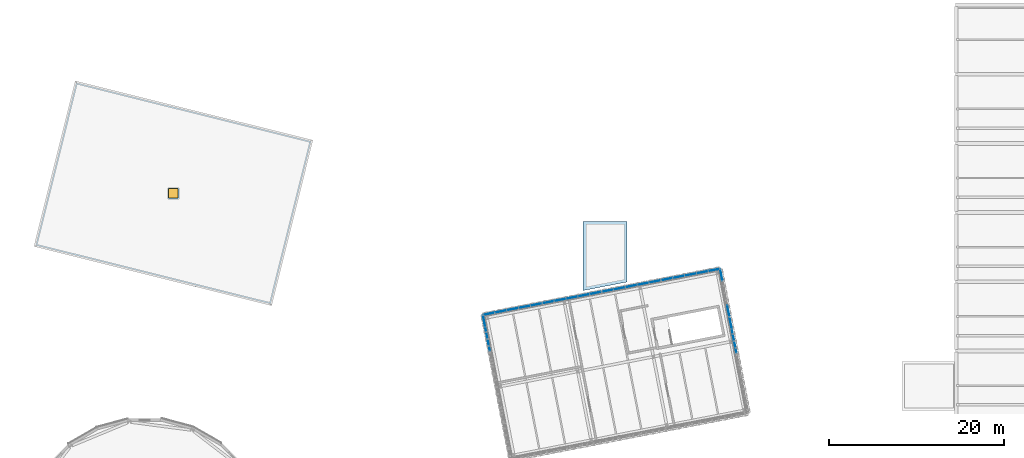
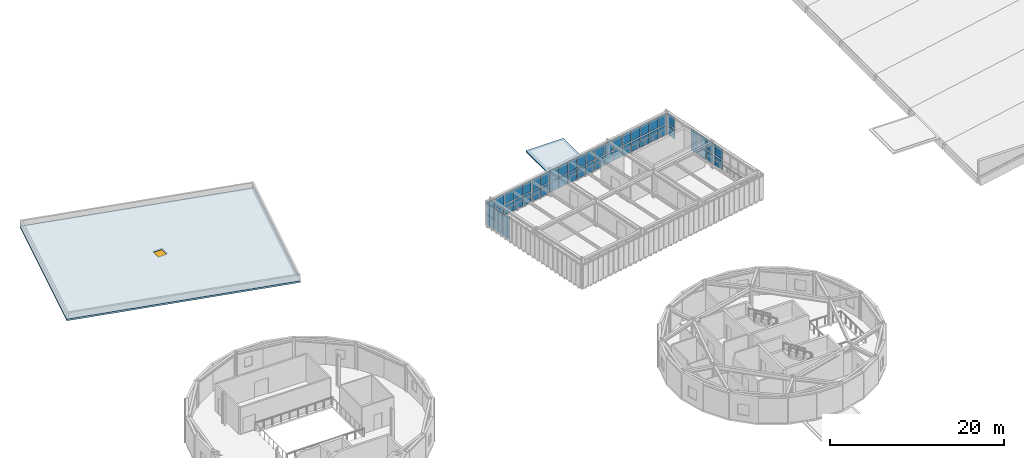
# One storey, part 23 of 44: 56 plates, 2 slabs, 1 door, 1 opening, 7 elements without a shape of their own.
"""IFC4 building model written with IfcOpenShell, lengths in metres."""

from ifc_helpers import new_model, si_unit, direction, frame, origin, origin_2d, place, context, subcontext, project, spatial, polyline, rectangle, outline, extrude, material, layer, layer_set, type_object, element, fill, aggregate, save


model = new_model("IFC4")

# Units and contexts
model_context = context("Model", 3, precision=1e-05, world=origin(), true_north=direction((0.0, 1.0)))
body_context = subcontext(model_context, "Body", "Model", "MODEL_VIEW")
ifc_project = project(units=[si_unit("LENGTHUNIT", "METRE"), si_unit("AREAUNIT", "SQUARE_METRE"), si_unit("VOLUMEUNIT", "CUBIC_METRE"), si_unit("PLANEANGLEUNIT", "RADIAN"), si_unit("MASSUNIT", "GRAM", prefix="KILO")], contexts=[model_context])

# Site, building, storey
site_placement = place(None, origin())
site = spatial("IfcSite", under=ifc_project, at=site_placement, CompositionType="ELEMENT")
building_placement = place(site_placement, origin())
building = spatial("IfcBuilding", under=site, at=building_placement, Name="Varnklinge Art Gallery", CompositionType="ELEMENT")
storey_placement = place(building_placement, frame((0.0, 0.0, 13.679931640625)))
storey = spatial("IfcBuildingStorey", under=building, at=storey_placement, Name="L03", CompositionType="ELEMENT", Elevation=13.679931640625)

# Curtain wall, plates
ifc_material_1 = material(Name="Anodised Aluminium", Category="aluminium")
curtain_wall_type_1 = type_object("IfcCurtainWallType", Name="CW-L08", PredefinedType="USERDEFINED", material=ifc_material_1)
curtain_wall_1_placement = place(storey_placement, origin())
curtain_wall_1 = element("IfcCurtainWall", 1, at=curtain_wall_1_placement, inside=storey, type_object=curtain_wall_type_1, Name="L03 Curtain Wall CW-V4B-L03-2-1-2", ObjectType="UNITISED CURTAIN WALL", PredefinedType="USERDEFINED")
ifc_material_2 = material(Name="Insulated Low-E Triple Glazing", Category="glass")
ifc_layer_1 = layer(ifc_material_2, 0.0439453125)
ifc_layer_set_1 = layer_set([ifc_layer_1], Name="Insulated Low-E Triple Glazing")
plate_type = type_object("IfcPlateType", Name="GLZ-44", PredefinedType="CURTAIN_PANEL", material=ifc_layer_set_1)
plate_1_placement = place(storey_placement, frame((89.18017578125, 74.446044921875, 0.14794921875), z_axis=(0.0, 0.0, 1.0), x_axis=(-0.190808995377, 0.981627183448, 0.0)))
plate_1 = element("IfcPlate", 2, at=plate_1_placement, type_object=plate_type, Name="CW-V4B-L03-2-1-2 Glazing Panel 2.1", PredefinedType="CURTAIN_PANEL", context=body_context, shape_type="SweptSolid", body=[
    extrude(rectangle(XDim=1.3291015625, YDim=0.0439453125, at=origin_2d()), origin(), (0.0, 0.0, 1.0), 1.367919921875),
])
plate_2_placement = place(storey_placement, frame((89.18017578125, 74.446044921875, 1.66162109375), z_axis=(0.0, 0.0, 1.0), x_axis=(-0.190808995377, 0.981627183448, 0.0)))
plate_2 = element("IfcPlate", 3, at=plate_2_placement, type_object=plate_type, Name="CW-V4B-L03-2-1-2 Glazing Panel 2.2", PredefinedType="CURTAIN_PANEL", context=body_context, shape_type="SweptSolid", body=[
    extrude(rectangle(XDim=1.3291015625, YDim=0.0439453125, at=origin_2d()), origin(), (0.0, 0.0, 1.0), 1.500244140625),
])
plate_3_placement = place(storey_placement, frame((88.912841796875, 75.8203125, 0.14794921875), z_axis=(0.0, 0.0, 1.0), x_axis=(-0.190808995377, 0.981627183448, 0.0)))
plate_3 = element("IfcPlate", 4, at=plate_3_placement, type_object=plate_type, Name="CW-V4B-L03-2-1-2 Glazing Panel 3.1", PredefinedType="CURTAIN_PANEL", context=body_context, shape_type="SweptSolid", body=[
    extrude(rectangle(XDim=1.3291015625, YDim=0.0439453125, at=origin_2d()), origin(), (0.0, 0.0, 1.0), 1.367919921875),
])
plate_4_placement = place(storey_placement, frame((88.912841796875, 75.8203125, 1.66162109375), z_axis=(0.0, 0.0, 1.0), x_axis=(-0.190808995377, 0.981627183448, 0.0)))
plate_4 = element("IfcPlate", 5, at=plate_4_placement, type_object=plate_type, Name="CW-V4B-L03-2-1-2 Glazing Panel 3.2", PredefinedType="CURTAIN_PANEL", context=body_context, shape_type="SweptSolid", body=[
    extrude(rectangle(XDim=1.3291015625, YDim=0.0439453125, at=origin_2d()), origin(), (0.0, 0.0, 1.0), 1.500244140625),
])
plate_5_placement = place(storey_placement, frame((88.6494140625, 77.17626953125, 0.14794921875), z_axis=(0.0, 0.0, 1.0), x_axis=(-0.190808995377, 0.981627183448, 0.0)))
plate_5 = element("IfcPlate", 6, at=plate_5_placement, type_object=plate_type, Name="CW-V4B-L03-2-1-2 Glazing Panel 4.1", PredefinedType="CURTAIN_PANEL", context=body_context, shape_type="SweptSolid", body=[
    extrude(rectangle(XDim=1.29150390625, YDim=0.0439453125, at=origin_2d()), origin(), (0.0, 0.0, 1.0), 1.367919921875),
])
plate_6_placement = place(storey_placement, frame((88.6494140625, 77.17626953125, 1.66162109375), z_axis=(0.0, 0.0, 1.0), x_axis=(-0.190808995377, 0.981627183448, 0.0)))
plate_6 = element("IfcPlate", 7, at=plate_6_placement, type_object=plate_type, Name="CW-V4B-L03-2-1-2 Glazing Panel 4.2", PredefinedType="CURTAIN_PANEL", context=body_context, shape_type="SweptSolid", body=[
    extrude(rectangle(XDim=1.29150390625, YDim=0.0439453125, at=origin_2d()), origin(), (0.0, 0.0, 1.0), 1.500244140625),
])
aggregate(curtain_wall_1, [plate_1, plate_2, plate_3, plate_4, plate_5, plate_6])

curtain_wall_2_placement = place(storey_placement, origin())
curtain_wall_2 = element("IfcCurtainWall", 8, at=curtain_wall_2_placement, inside=storey, type_object=curtain_wall_type_1, Name="L03 Curtain Wall CW-V4B-L03-2-1-3", ObjectType="UNITISED CURTAIN WALL", PredefinedType="USERDEFINED")
plate_7_placement = place(storey_placement, frame((88.375, 78.587158203125, 0.14794921875), z_axis=(0.0, 0.0, 1.0), x_axis=(-0.190808995377, 0.981627183448, 0.0)))
plate_7 = element("IfcPlate", 9, at=plate_7_placement, type_object=plate_type, Name="CW-V4B-L03-2-1-3 Glazing Panel 1.1", PredefinedType="CURTAIN_PANEL", context=body_context, shape_type="SweptSolid", body=[
    extrude(rectangle(XDim=1.29150390625, YDim=0.0439453125, at=origin_2d()), origin(), (0.0, 0.0, 1.0), 1.367919921875),
])
plate_8_placement = place(storey_placement, frame((88.375, 78.587158203125, 1.66162109375), z_axis=(0.0, 0.0, 1.0), x_axis=(-0.190808995377, 0.981627183448, 0.0)))
plate_8 = element("IfcPlate", 10, at=plate_8_placement, type_object=plate_type, Name="CW-V4B-L03-2-1-3 Glazing Panel 1.2", PredefinedType="CURTAIN_PANEL", context=body_context, shape_type="SweptSolid", body=[
    extrude(rectangle(XDim=1.29150390625, YDim=0.0439453125, at=origin_2d()), origin(), (0.0, 0.0, 1.0), 1.500244140625),
])
plate_9_placement = place(storey_placement, frame((87.580810546875, 82.67333984375, 0.14794921875), z_axis=(0.0, 0.0, 1.0), x_axis=(-0.190808995377, 0.981627183448, 0.0)))
plate_9 = element("IfcPlate", 11, at=plate_9_placement, type_object=plate_type, Name="CW-V4B-L03-2-1-3 Glazing Panel 4.1", PredefinedType="CURTAIN_PANEL", context=body_context, shape_type="SweptSolid", body=[
    extrude(rectangle(XDim=1.29150390625, YDim=0.0439453125, at=origin_2d()), origin(), (0.0, 0.0, 1.0), 1.367919921875),
])
plate_10_placement = place(storey_placement, frame((87.580810546875, 82.67333984375, 1.66162109375), z_axis=(0.0, 0.0, 1.0), x_axis=(-0.190808995377, 0.981627183448, 0.0)))
plate_10 = element("IfcPlate", 12, at=plate_10_placement, type_object=plate_type, Name="CW-V4B-L03-2-1-3 Glazing Panel 4.2", PredefinedType="CURTAIN_PANEL", context=body_context, shape_type="SweptSolid", body=[
    extrude(rectangle(XDim=1.29150390625, YDim=0.0439453125, at=origin_2d()), origin(), (0.0, 0.0, 1.0), 1.500244140625),
])
aggregate(curtain_wall_2, [plate_7, plate_8, plate_9, plate_10])

ifc_material_3 = material(Name="Anodised Aluminium", Category="aluminium")
curtain_wall_type_2 = type_object("IfcCurtainWallType", Name="CW-L04", PredefinedType="USERDEFINED", material=ifc_material_3)
curtain_wall_3_placement = place(storey_placement, origin())
curtain_wall_3 = element("IfcCurtainWall", 13, at=curtain_wall_3_placement, inside=storey, type_object=curtain_wall_type_2, Name="L03 Curtain Wall CW-V4B-L03-3-1-1", ObjectType="UNITISED CURTAIN WALL", PredefinedType="USERDEFINED")
plate_11_placement = place(storey_placement, frame((86.748046875, 83.24365234375, 0.14794921875), z_axis=(0.0, 0.0, 1.0), x_axis=(-0.981627183448, -0.190808995377, 0.0)))
plate_11 = element("IfcPlate", 14, at=plate_11_placement, type_object=plate_type, Name="CW-V4B-L03-3-1-1 Glazing Panel 1.1", PredefinedType="CURTAIN_PANEL", context=body_context, shape_type="SweptSolid", body=[
    extrude(rectangle(XDim=1.271484375, YDim=0.0439453125, at=origin_2d()), origin(), (0.0, 0.0, 1.0), 1.367919921875),
])
plate_12_placement = place(storey_placement, frame((86.748046875, 83.24365234375, 1.66162109375), z_axis=(0.0, 0.0, 1.0), x_axis=(-0.981627183448, -0.190808995377, 0.0)))
plate_12 = element("IfcPlate", 15, at=plate_12_placement, type_object=plate_type, Name="CW-V4B-L03-3-1-1 Glazing Panel 1.2", PredefinedType="CURTAIN_PANEL", context=body_context, shape_type="SweptSolid", body=[
    extrude(rectangle(XDim=1.271484375, YDim=0.0439453125, at=origin_2d()), origin(), (0.0, 0.0, 1.0), 1.500244140625),
])
plate_13_placement = place(storey_placement, frame((85.41162109375, 82.98388671875, 0.14794921875), z_axis=(0.0, 0.0, 1.0), x_axis=(-0.981627183448, -0.190808995377, 0.0)))
plate_13 = element("IfcPlate", 16, at=plate_13_placement, type_object=plate_type, Name="CW-V4B-L03-3-1-1 Glazing Panel 2.1", PredefinedType="CURTAIN_PANEL", context=body_context, shape_type="SweptSolid", body=[
    extrude(rectangle(XDim=1.30908203125, YDim=0.0439453125, at=origin_2d()), origin(), (0.0, 0.0, 1.0), 1.367919921875),
])
plate_14_placement = place(storey_placement, frame((85.41162109375, 82.98388671875, 1.66162109375), z_axis=(0.0, 0.0, 1.0), x_axis=(-0.981627183448, -0.190808995377, 0.0)))
plate_14 = element("IfcPlate", 17, at=plate_14_placement, type_object=plate_type, Name="CW-V4B-L03-3-1-1 Glazing Panel 2.2", PredefinedType="CURTAIN_PANEL", context=body_context, shape_type="SweptSolid", body=[
    extrude(rectangle(XDim=1.30908203125, YDim=0.0439453125, at=origin_2d()), origin(), (0.0, 0.0, 1.0), 1.500244140625),
])
plate_15_placement = place(storey_placement, frame((84.05712890625, 82.720458984375, 0.14794921875), z_axis=(0.0, 0.0, 1.0), x_axis=(-0.981627183448, -0.190808995377, 0.0)))
plate_15 = element("IfcPlate", 18, at=plate_15_placement, type_object=plate_type, Name="CW-V4B-L03-3-1-1 Glazing Panel 3.1", PredefinedType="CURTAIN_PANEL", context=body_context, shape_type="SweptSolid", body=[
    extrude(rectangle(XDim=1.30908203125, YDim=0.0439453125, at=origin_2d()), origin(), (0.0, 0.0, 1.0), 1.367919921875),
])
plate_16_placement = place(storey_placement, frame((84.05712890625, 82.720458984375, 1.66162109375), z_axis=(0.0, 0.0, 1.0), x_axis=(-0.981627183448, -0.190808995377, 0.0)))
plate_16 = element("IfcPlate", 19, at=plate_16_placement, type_object=plate_type, Name="CW-V4B-L03-3-1-1 Glazing Panel 3.2", PredefinedType="CURTAIN_PANEL", context=body_context, shape_type="SweptSolid", body=[
    extrude(rectangle(XDim=1.30908203125, YDim=0.0439453125, at=origin_2d()), origin(), (0.0, 0.0, 1.0), 1.500244140625),
])
plate_17_placement = place(storey_placement, frame((82.702392578125, 82.457275390625, 0.14794921875), z_axis=(0.0, 0.0, 1.0), x_axis=(-0.981627183448, -0.190808995377, 0.0)))
plate_17 = element("IfcPlate", 20, at=plate_17_placement, type_object=plate_type, Name="CW-V4B-L03-3-1-1 Glazing Panel 4.1", PredefinedType="CURTAIN_PANEL", context=body_context, shape_type="SweptSolid", body=[
    extrude(rectangle(XDim=1.30908203125, YDim=0.0439453125, at=origin_2d()), origin(), (0.0, 0.0, 1.0), 1.367919921875),
])
plate_18_placement = place(storey_placement, frame((82.702392578125, 82.457275390625, 1.66162109375), z_axis=(0.0, 0.0, 1.0), x_axis=(-0.981627183448, -0.190808995377, 0.0)))
plate_18 = element("IfcPlate", 21, at=plate_18_placement, type_object=plate_type, Name="CW-V4B-L03-3-1-1 Glazing Panel 4.2", PredefinedType="CURTAIN_PANEL", context=body_context, shape_type="SweptSolid", body=[
    extrude(rectangle(XDim=1.30908203125, YDim=0.0439453125, at=origin_2d()), origin(), (0.0, 0.0, 1.0), 1.500244140625),
])
plate_19_placement = place(storey_placement, frame((81.3662109375, 82.197509765625, 0.14794921875), z_axis=(0.0, 0.0, 1.0), x_axis=(-0.981627183448, -0.190808995377, 0.0)))
plate_19 = element("IfcPlate", 22, at=plate_19_placement, type_object=plate_type, Name="CW-V4B-L03-3-1-1 Glazing Panel 5.1", PredefinedType="CURTAIN_PANEL", context=body_context, shape_type="SweptSolid", body=[
    extrude(rectangle(XDim=1.271484375, YDim=0.0439453125, at=origin_2d()), origin(), (0.0, 0.0, 1.0), 1.367919921875),
])
plate_20_placement = place(storey_placement, frame((81.3662109375, 82.197509765625, 1.66162109375), z_axis=(0.0, 0.0, 1.0), x_axis=(-0.981627183448, -0.190808995377, 0.0)))
plate_20 = element("IfcPlate", 23, at=plate_20_placement, type_object=plate_type, Name="CW-V4B-L03-3-1-1 Glazing Panel 5.2", PredefinedType="CURTAIN_PANEL", context=body_context, shape_type="SweptSolid", body=[
    extrude(rectangle(XDim=1.271484375, YDim=0.0439453125, at=origin_2d()), origin(), (0.0, 0.0, 1.0), 1.500244140625),
])
aggregate(curtain_wall_3, [plate_11, plate_12, plate_13, plate_14, plate_15, plate_16, plate_17, plate_18, plate_19, plate_20])

curtain_wall_4_placement = place(storey_placement, origin())
curtain_wall_4 = element("IfcCurtainWall", 24, at=curtain_wall_4_placement, inside=storey, type_object=curtain_wall_type_2, Name="L03 Curtain Wall CW-V4B-L03-3-1-2", ObjectType="UNITISED CURTAIN WALL", PredefinedType="USERDEFINED")
plate_21_placement = place(storey_placement, frame((79.974853515625, 81.927001953125, 0.14794921875), z_axis=(0.0, 0.0, 1.0), x_axis=(-0.981627183448, -0.190808995377, 0.0)))
plate_21 = element("IfcPlate", 25, at=plate_21_placement, type_object=plate_type, Name="CW-V4B-L03-3-1-2 Glazing Panel 1.1", PredefinedType="CURTAIN_PANEL", context=body_context, shape_type="SweptSolid", body=[
    extrude(rectangle(XDim=1.271484375, YDim=0.0439453125, at=origin_2d()), origin(), (0.0, 0.0, 1.0), 1.367919921875),
])
plate_22_placement = place(storey_placement, frame((79.974853515625, 81.927001953125, 1.66162109375), z_axis=(0.0, 0.0, 1.0), x_axis=(-0.981627183448, -0.190808995377, 0.0)))
plate_22 = element("IfcPlate", 26, at=plate_22_placement, type_object=plate_type, Name="CW-V4B-L03-3-1-2 Glazing Panel 1.2", PredefinedType="CURTAIN_PANEL", context=body_context, shape_type="SweptSolid", body=[
    extrude(rectangle(XDim=1.271484375, YDim=0.0439453125, at=origin_2d()), origin(), (0.0, 0.0, 1.0), 1.500244140625),
])
plate_23_placement = place(storey_placement, frame((78.638427734375, 81.667236328125, 0.14794921875), z_axis=(0.0, 0.0, 1.0), x_axis=(-0.981627183448, -0.190808995377, 0.0)))
plate_23 = element("IfcPlate", 27, at=plate_23_placement, type_object=plate_type, Name="CW-V4B-L03-3-1-2 Glazing Panel 2.1", PredefinedType="CURTAIN_PANEL", context=body_context, shape_type="SweptSolid", body=[
    extrude(rectangle(XDim=1.30908203125, YDim=0.0439453125, at=origin_2d()), origin(), (0.0, 0.0, 1.0), 1.367919921875),
])
plate_24_placement = place(storey_placement, frame((78.638427734375, 81.667236328125, 1.66162109375), z_axis=(0.0, 0.0, 1.0), x_axis=(-0.981627183448, -0.190808995377, 0.0)))
plate_24 = element("IfcPlate", 28, at=plate_24_placement, type_object=plate_type, Name="CW-V4B-L03-3-1-2 Glazing Panel 2.2", PredefinedType="CURTAIN_PANEL", context=body_context, shape_type="SweptSolid", body=[
    extrude(rectangle(XDim=1.30908203125, YDim=0.0439453125, at=origin_2d()), origin(), (0.0, 0.0, 1.0), 1.500244140625),
])
plate_25_placement = place(storey_placement, frame((77.283935546875, 81.40380859375, 0.14794921875), z_axis=(0.0, 0.0, 1.0), x_axis=(-0.981627183448, -0.190808995377, 0.0)))
plate_25 = element("IfcPlate", 29, at=plate_25_placement, type_object=plate_type, Name="CW-V4B-L03-3-1-2 Glazing Panel 3.1", PredefinedType="CURTAIN_PANEL", context=body_context, shape_type="SweptSolid", body=[
    extrude(rectangle(XDim=1.30908203125, YDim=0.0439453125, at=origin_2d()), origin(), (0.0, 0.0, 1.0), 1.367919921875),
])
plate_26_placement = place(storey_placement, frame((77.283935546875, 81.40380859375, 1.66162109375), z_axis=(0.0, 0.0, 1.0), x_axis=(-0.981627183448, -0.190808995377, 0.0)))
plate_26 = element("IfcPlate", 30, at=plate_26_placement, type_object=plate_type, Name="CW-V4B-L03-3-1-2 Glazing Panel 3.2", PredefinedType="CURTAIN_PANEL", context=body_context, shape_type="SweptSolid", body=[
    extrude(rectangle(XDim=1.30908203125, YDim=0.0439453125, at=origin_2d()), origin(), (0.0, 0.0, 1.0), 1.500244140625),
])
plate_27_placement = place(storey_placement, frame((75.92919921875, 81.140625, 0.14794921875), z_axis=(0.0, 0.0, 1.0), x_axis=(-0.981627183448, -0.190808995377, 0.0)))
plate_27 = element("IfcPlate", 31, at=plate_27_placement, type_object=plate_type, Name="CW-V4B-L03-3-1-2 Glazing Panel 4.1", PredefinedType="CURTAIN_PANEL", context=body_context, shape_type="SweptSolid", body=[
    extrude(rectangle(XDim=1.30908203125, YDim=0.0439453125, at=origin_2d()), origin(), (0.0, 0.0, 1.0), 1.367919921875),
])
plate_28_placement = place(storey_placement, frame((75.92919921875, 81.140625, 1.66162109375), z_axis=(0.0, 0.0, 1.0), x_axis=(-0.981627183448, -0.190808995377, 0.0)))
plate_28 = element("IfcPlate", 32, at=plate_28_placement, type_object=plate_type, Name="CW-V4B-L03-3-1-2 Glazing Panel 4.2", PredefinedType="CURTAIN_PANEL", context=body_context, shape_type="SweptSolid", body=[
    extrude(rectangle(XDim=1.30908203125, YDim=0.0439453125, at=origin_2d()), origin(), (0.0, 0.0, 1.0), 1.500244140625),
])
plate_29_placement = place(storey_placement, frame((74.593017578125, 80.880859375, 0.14794921875), z_axis=(0.0, 0.0, 1.0), x_axis=(-0.981627183448, -0.190808995377, 0.0)))
plate_29 = element("IfcPlate", 33, at=plate_29_placement, type_object=plate_type, Name="CW-V4B-L03-3-1-2 Glazing Panel 5.1", PredefinedType="CURTAIN_PANEL", context=body_context, shape_type="SweptSolid", body=[
    extrude(rectangle(XDim=1.271484375, YDim=0.0439453125, at=origin_2d()), origin(), (0.0, 0.0, 1.0), 1.367919921875),
])
plate_30_placement = place(storey_placement, frame((74.593017578125, 80.880859375, 1.66162109375), z_axis=(0.0, 0.0, 1.0), x_axis=(-0.981627183448, -0.190808995377, 0.0)))
plate_30 = element("IfcPlate", 34, at=plate_30_placement, type_object=plate_type, Name="CW-V4B-L03-3-1-2 Glazing Panel 5.2", PredefinedType="CURTAIN_PANEL", context=body_context, shape_type="SweptSolid", body=[
    extrude(rectangle(XDim=1.271484375, YDim=0.0439453125, at=origin_2d()), origin(), (0.0, 0.0, 1.0), 1.500244140625),
])
aggregate(curtain_wall_4, [plate_21, plate_22, plate_23, plate_24, plate_25, plate_26, plate_27, plate_28, plate_29, plate_30])

curtain_wall_5_placement = place(storey_placement, origin())
curtain_wall_5 = element("IfcCurtainWall", 35, at=curtain_wall_5_placement, inside=storey, type_object=curtain_wall_type_2, Name="L03 Curtain Wall CW-V4B-L03-3-1-3", ObjectType="UNITISED CURTAIN WALL", PredefinedType="USERDEFINED")
plate_31_placement = place(storey_placement, frame((73.201416015625, 80.6103515625, 0.14794921875), z_axis=(0.0, 0.0, 1.0), x_axis=(-0.981627183448, -0.190808995377, 0.0)))
plate_31 = element("IfcPlate", 36, at=plate_31_placement, type_object=plate_type, Name="CW-V4B-L03-3-1-3 Glazing Panel 1.1", PredefinedType="CURTAIN_PANEL", context=body_context, shape_type="SweptSolid", body=[
    extrude(rectangle(XDim=1.271484375, YDim=0.0439453125, at=origin_2d()), origin(), (0.0, 0.0, 1.0), 1.367919921875),
])
plate_32_placement = place(storey_placement, frame((73.201416015625, 80.6103515625, 1.66162109375), z_axis=(0.0, 0.0, 1.0), x_axis=(-0.981627183448, -0.190808995377, 0.0)))
plate_32 = element("IfcPlate", 37, at=plate_32_placement, type_object=plate_type, Name="CW-V4B-L03-3-1-3 Glazing Panel 1.2", PredefinedType="CURTAIN_PANEL", context=body_context, shape_type="SweptSolid", body=[
    extrude(rectangle(XDim=1.271484375, YDim=0.0439453125, at=origin_2d()), origin(), (0.0, 0.0, 1.0), 1.500244140625),
])
plate_33_placement = place(storey_placement, frame((71.865234375, 80.3505859375, 0.14794921875), z_axis=(0.0, 0.0, 1.0), x_axis=(-0.981627183448, -0.190808995377, 0.0)))
plate_33 = element("IfcPlate", 38, at=plate_33_placement, type_object=plate_type, Name="CW-V4B-L03-3-1-3 Glazing Panel 2.1", PredefinedType="CURTAIN_PANEL", context=body_context, shape_type="SweptSolid", body=[
    extrude(rectangle(XDim=1.30908203125, YDim=0.0439453125, at=origin_2d()), origin(), (0.0, 0.0, 1.0), 1.367919921875),
])
plate_34_placement = place(storey_placement, frame((71.865234375, 80.3505859375, 1.66162109375), z_axis=(0.0, 0.0, 1.0), x_axis=(-0.981627183448, -0.190808995377, 0.0)))
plate_34 = element("IfcPlate", 39, at=plate_34_placement, type_object=plate_type, Name="CW-V4B-L03-3-1-3 Glazing Panel 2.2", PredefinedType="CURTAIN_PANEL", context=body_context, shape_type="SweptSolid", body=[
    extrude(rectangle(XDim=1.30908203125, YDim=0.0439453125, at=origin_2d()), origin(), (0.0, 0.0, 1.0), 1.500244140625),
])
plate_35_placement = place(storey_placement, frame((70.510498046875, 80.08740234375, 0.14794921875), z_axis=(0.0, 0.0, 1.0), x_axis=(-0.981627183448, -0.190808995377, 0.0)))
plate_35 = element("IfcPlate", 40, at=plate_35_placement, type_object=plate_type, Name="CW-V4B-L03-3-1-3 Glazing Panel 3.1", PredefinedType="CURTAIN_PANEL", context=body_context, shape_type="SweptSolid", body=[
    extrude(rectangle(XDim=1.30908203125, YDim=0.0439453125, at=origin_2d()), origin(), (0.0, 0.0, 1.0), 1.367919921875),
])
plate_36_placement = place(storey_placement, frame((70.510498046875, 80.08740234375, 1.66162109375), z_axis=(0.0, 0.0, 1.0), x_axis=(-0.981627183448, -0.190808995377, 0.0)))
plate_36 = element("IfcPlate", 41, at=plate_36_placement, type_object=plate_type, Name="CW-V4B-L03-3-1-3 Glazing Panel 3.2", PredefinedType="CURTAIN_PANEL", context=body_context, shape_type="SweptSolid", body=[
    extrude(rectangle(XDim=1.30908203125, YDim=0.0439453125, at=origin_2d()), origin(), (0.0, 0.0, 1.0), 1.500244140625),
])
plate_37_placement = place(storey_placement, frame((69.156005859375, 79.823974609375, 0.14794921875), z_axis=(0.0, 0.0, 1.0), x_axis=(-0.981627183448, -0.190808995377, 0.0)))
plate_37 = element("IfcPlate", 42, at=plate_37_placement, type_object=plate_type, Name="CW-V4B-L03-3-1-3 Glazing Panel 4.1", PredefinedType="CURTAIN_PANEL", context=body_context, shape_type="SweptSolid", body=[
    extrude(rectangle(XDim=1.30908203125, YDim=0.0439453125, at=origin_2d()), origin(), (0.0, 0.0, 1.0), 1.367919921875),
])
plate_38_placement = place(storey_placement, frame((69.156005859375, 79.823974609375, 1.66162109375), z_axis=(0.0, 0.0, 1.0), x_axis=(-0.981627183448, -0.190808995377, 0.0)))
plate_38 = element("IfcPlate", 43, at=plate_38_placement, type_object=plate_type, Name="CW-V4B-L03-3-1-3 Glazing Panel 4.2", PredefinedType="CURTAIN_PANEL", context=body_context, shape_type="SweptSolid", body=[
    extrude(rectangle(XDim=1.30908203125, YDim=0.0439453125, at=origin_2d()), origin(), (0.0, 0.0, 1.0), 1.500244140625),
])
plate_39_placement = place(storey_placement, frame((67.819580078125, 79.564208984375, 0.14794921875), z_axis=(0.0, 0.0, 1.0), x_axis=(-0.981627183448, -0.190808995377, 0.0)))
plate_39 = element("IfcPlate", 44, at=plate_39_placement, type_object=plate_type, Name="CW-V4B-L03-3-1-3 Glazing Panel 5.1", PredefinedType="CURTAIN_PANEL", context=body_context, shape_type="SweptSolid", body=[
    extrude(rectangle(XDim=1.271484375, YDim=0.0439453125, at=origin_2d()), origin(), (0.0, 0.0, 1.0), 1.367919921875),
])
plate_40_placement = place(storey_placement, frame((67.819580078125, 79.564208984375, 1.66162109375), z_axis=(0.0, 0.0, 1.0), x_axis=(-0.981627183448, -0.190808995377, 0.0)))
plate_40 = element("IfcPlate", 45, at=plate_40_placement, type_object=plate_type, Name="CW-V4B-L03-3-1-3 Glazing Panel 5.2", PredefinedType="CURTAIN_PANEL", context=body_context, shape_type="SweptSolid", body=[
    extrude(rectangle(XDim=1.271484375, YDim=0.0439453125, at=origin_2d()), origin(), (0.0, 0.0, 1.0), 1.500244140625),
])
aggregate(curtain_wall_5, [plate_31, plate_32, plate_33, plate_34, plate_35, plate_36, plate_37, plate_38, plate_39, plate_40])

curtain_wall_6_placement = place(storey_placement, origin())
curtain_wall_6 = element("IfcCurtainWall", 46, at=curtain_wall_6_placement, inside=storey, type_object=curtain_wall_type_2, Name="L03 Curtain Wall CW-V4B-L03-3-1-4", ObjectType="UNITISED CURTAIN WALL", PredefinedType="USERDEFINED")
plate_41_placement = place(storey_placement, frame((66.42822265625, 79.2939453125, 0.14794921875), z_axis=(0.0, 0.0, 1.0), x_axis=(-0.981627183448, -0.190808995377, 0.0)))
plate_41 = element("IfcPlate", 47, at=plate_41_placement, type_object=plate_type, Name="CW-V4B-L03-3-1-4 Glazing Panel 1.1", PredefinedType="CURTAIN_PANEL", context=body_context, shape_type="SweptSolid", body=[
    extrude(rectangle(XDim=1.271484375, YDim=0.0439453125, at=origin_2d()), origin(), (0.0, 0.0, 1.0), 1.367919921875),
])
plate_42_placement = place(storey_placement, frame((66.42822265625, 79.2939453125, 1.66162109375), z_axis=(0.0, 0.0, 1.0), x_axis=(-0.981627183448, -0.190808995377, 0.0)))
plate_42 = element("IfcPlate", 48, at=plate_42_placement, type_object=plate_type, Name="CW-V4B-L03-3-1-4 Glazing Panel 1.2", PredefinedType="CURTAIN_PANEL", context=body_context, shape_type="SweptSolid", body=[
    extrude(rectangle(XDim=1.271484375, YDim=0.0439453125, at=origin_2d()), origin(), (0.0, 0.0, 1.0), 1.500244140625),
])
plate_43_placement = place(storey_placement, frame((65.092041015625, 79.0341796875, 0.14794921875), z_axis=(0.0, 0.0, 1.0), x_axis=(-0.981627183448, -0.190808995377, 0.0)))
plate_43 = element("IfcPlate", 49, at=plate_43_placement, type_object=plate_type, Name="CW-V4B-L03-3-1-4 Glazing Panel 2.1", PredefinedType="CURTAIN_PANEL", context=body_context, shape_type="SweptSolid", body=[
    extrude(rectangle(XDim=1.30908203125, YDim=0.0439453125, at=origin_2d()), origin(), (0.0, 0.0, 1.0), 1.367919921875),
])
plate_44_placement = place(storey_placement, frame((65.092041015625, 79.0341796875, 1.66162109375), z_axis=(0.0, 0.0, 1.0), x_axis=(-0.981627183448, -0.190808995377, 0.0)))
plate_44 = element("IfcPlate", 50, at=plate_44_placement, type_object=plate_type, Name="CW-V4B-L03-3-1-4 Glazing Panel 2.2", PredefinedType="CURTAIN_PANEL", context=body_context, shape_type="SweptSolid", body=[
    extrude(rectangle(XDim=1.30908203125, YDim=0.0439453125, at=origin_2d()), origin(), (0.0, 0.0, 1.0), 1.500244140625),
])
plate_45_placement = place(storey_placement, frame((63.7373046875, 78.770751953125, 0.14794921875), z_axis=(0.0, 0.0, 1.0), x_axis=(-0.981627183448, -0.190808995377, 0.0)))
plate_45 = element("IfcPlate", 51, at=plate_45_placement, type_object=plate_type, Name="CW-V4B-L03-3-1-4 Glazing Panel 3.1", PredefinedType="CURTAIN_PANEL", context=body_context, shape_type="SweptSolid", body=[
    extrude(rectangle(XDim=1.30908203125, YDim=0.0439453125, at=origin_2d()), origin(), (0.0, 0.0, 1.0), 1.367919921875),
])
plate_46_placement = place(storey_placement, frame((63.7373046875, 78.770751953125, 1.66162109375), z_axis=(0.0, 0.0, 1.0), x_axis=(-0.981627183448, -0.190808995377, 0.0)))
plate_46 = element("IfcPlate", 52, at=plate_46_placement, type_object=plate_type, Name="CW-V4B-L03-3-1-4 Glazing Panel 3.2", PredefinedType="CURTAIN_PANEL", context=body_context, shape_type="SweptSolid", body=[
    extrude(rectangle(XDim=1.30908203125, YDim=0.0439453125, at=origin_2d()), origin(), (0.0, 0.0, 1.0), 1.500244140625),
])
plate_47_placement = place(storey_placement, frame((62.3828125, 78.507568359375, 0.14794921875), z_axis=(0.0, 0.0, 1.0), x_axis=(-0.981627183448, -0.190808995377, 0.0)))
plate_47 = element("IfcPlate", 53, at=plate_47_placement, type_object=plate_type, Name="CW-V4B-L03-3-1-4 Glazing Panel 4.1", PredefinedType="CURTAIN_PANEL", context=body_context, shape_type="SweptSolid", body=[
    extrude(rectangle(XDim=1.30908203125, YDim=0.0439453125, at=origin_2d()), origin(), (0.0, 0.0, 1.0), 1.367919921875),
])
plate_48_placement = place(storey_placement, frame((62.3828125, 78.507568359375, 1.66162109375), z_axis=(0.0, 0.0, 1.0), x_axis=(-0.981627183448, -0.190808995377, 0.0)))
plate_48 = element("IfcPlate", 54, at=plate_48_placement, type_object=plate_type, Name="CW-V4B-L03-3-1-4 Glazing Panel 4.2", PredefinedType="CURTAIN_PANEL", context=body_context, shape_type="SweptSolid", body=[
    extrude(rectangle(XDim=1.30908203125, YDim=0.0439453125, at=origin_2d()), origin(), (0.0, 0.0, 1.0), 1.500244140625),
])
plate_49_placement = place(storey_placement, frame((61.04638671875, 78.247802734375, 0.14794921875), z_axis=(0.0, 0.0, 1.0), x_axis=(-0.981627183448, -0.190808995377, 0.0)))
plate_49 = element("IfcPlate", 55, at=plate_49_placement, type_object=plate_type, Name="CW-V4B-L03-3-1-4 Glazing Panel 5.1", PredefinedType="CURTAIN_PANEL", context=body_context, shape_type="SweptSolid", body=[
    extrude(rectangle(XDim=1.271484375, YDim=0.0439453125, at=origin_2d()), origin(), (0.0, 0.0, 1.0), 1.367919921875),
])
plate_50_placement = place(storey_placement, frame((61.04638671875, 78.247802734375, 1.66162109375), z_axis=(0.0, 0.0, 1.0), x_axis=(-0.981627183448, -0.190808995377, 0.0)))
plate_50 = element("IfcPlate", 56, at=plate_50_placement, type_object=plate_type, Name="CW-V4B-L03-3-1-4 Glazing Panel 5.2", PredefinedType="CURTAIN_PANEL", context=body_context, shape_type="SweptSolid", body=[
    extrude(rectangle(XDim=1.271484375, YDim=0.0439453125, at=origin_2d()), origin(), (0.0, 0.0, 1.0), 1.500244140625),
])
aggregate(curtain_wall_6, [plate_41, plate_42, plate_43, plate_44, plate_45, plate_46, plate_47, plate_48, plate_49, plate_50])

curtain_wall_7_placement = place(storey_placement, origin())
curtain_wall_7 = element("IfcCurtainWall", 57, at=curtain_wall_7_placement, inside=storey, type_object=curtain_wall_type_1, Name="L03 Curtain Wall CW-V4B-L03-4-1-1", ObjectType="UNITISED CURTAIN WALL", PredefinedType="USERDEFINED")
plate_51_placement = place(storey_placement, frame((60.48779296875, 77.406982421875, 0.14794921875), z_axis=(0.0, 0.0, 1.0), x_axis=(0.190808995377, -0.981627183448, 0.0)))
plate_51 = element("IfcPlate", 58, at=plate_51_placement, type_object=plate_type, Name="CW-V4B-L03-4-1-1 Glazing Panel 1.1", PredefinedType="CURTAIN_PANEL", context=body_context, shape_type="SweptSolid", body=[
    extrude(rectangle(XDim=1.29150390625, YDim=0.0439453125, at=origin_2d()), origin(), (0.0, 0.0, 1.0), 1.367919921875),
])
plate_52_placement = place(storey_placement, frame((60.48779296875, 77.406982421875, 1.66162109375), z_axis=(0.0, 0.0, 1.0), x_axis=(0.190808995377, -0.981627183448, 0.0)))
plate_52 = element("IfcPlate", 59, at=plate_52_placement, type_object=plate_type, Name="CW-V4B-L03-4-1-1 Glazing Panel 1.2", PredefinedType="CURTAIN_PANEL", context=body_context, shape_type="SweptSolid", body=[
    extrude(rectangle(XDim=1.29150390625, YDim=0.0439453125, at=origin_2d()), origin(), (0.0, 0.0, 1.0), 1.500244140625),
])
plate_53_placement = place(storey_placement, frame((60.75146484375, 76.051025390625, 0.14794921875), z_axis=(0.0, 0.0, 1.0), x_axis=(0.190808995377, -0.981627183448, 0.0)))
plate_53 = element("IfcPlate", 60, at=plate_53_placement, type_object=plate_type, Name="CW-V4B-L03-4-1-1 Glazing Panel 2.1", PredefinedType="CURTAIN_PANEL", context=body_context, shape_type="SweptSolid", body=[
    extrude(rectangle(XDim=1.3291015625, YDim=0.0439453125, at=origin_2d()), origin(), (0.0, 0.0, 1.0), 1.367919921875),
])
plate_54_placement = place(storey_placement, frame((60.75146484375, 76.051025390625, 1.66162109375), z_axis=(0.0, 0.0, 1.0), x_axis=(0.190808995377, -0.981627183448, 0.0)))
plate_54 = element("IfcPlate", 61, at=plate_54_placement, type_object=plate_type, Name="CW-V4B-L03-4-1-1 Glazing Panel 2.2", PredefinedType="CURTAIN_PANEL", context=body_context, shape_type="SweptSolid", body=[
    extrude(rectangle(XDim=1.3291015625, YDim=0.0439453125, at=origin_2d()), origin(), (0.0, 0.0, 1.0), 1.500244140625),
])
plate_55_placement = place(storey_placement, frame((61.0185546875, 74.6767578125, 0.14794921875), z_axis=(0.0, 0.0, 1.0), x_axis=(0.190808995377, -0.981627183448, 0.0)))
plate_55 = element("IfcPlate", 62, at=plate_55_placement, type_object=plate_type, Name="CW-V4B-L03-4-1-1 Glazing Panel 3.1", PredefinedType="CURTAIN_PANEL", context=body_context, shape_type="SweptSolid", body=[
    extrude(rectangle(XDim=1.3291015625, YDim=0.0439453125, at=origin_2d()), origin(), (0.0, 0.0, 1.0), 1.367919921875),
])
plate_56_placement = place(storey_placement, frame((61.0185546875, 74.6767578125, 1.66162109375), z_axis=(0.0, 0.0, 1.0), x_axis=(0.190808995377, -0.981627183448, 0.0)))
plate_56 = element("IfcPlate", 63, at=plate_56_placement, type_object=plate_type, Name="CW-V4B-L03-4-1-1 Glazing Panel 3.2", PredefinedType="CURTAIN_PANEL", context=body_context, shape_type="SweptSolid", body=[
    extrude(rectangle(XDim=1.3291015625, YDim=0.0439453125, at=origin_2d()), origin(), (0.0, 0.0, 1.0), 1.500244140625),
])
aggregate(curtain_wall_7, [plate_51, plate_52, plate_53, plate_54, plate_55, plate_56])

# Slab
ifc_material_4 = material(Name="Concrete C35/45", Category="concrete")
ifc_layer_2 = layer(ifc_material_4, 0.199951171875)
ifc_layer_set_2 = layer_set([ifc_layer_2], Name="Concrete C35/45")
slab_type_1 = type_object("IfcSlabType", Name="SLB-ROOF20", PredefinedType="ROOF", material=ifc_layer_set_2)
slab_1_placement = place(storey_placement, frame((0.0, 0.0, -0.199951171875)))
element("IfcSlab", 64, at=slab_1_placement, inside=storey, type_object=slab_type_1, Name="L03 LNK-V4N Link Roof Slab", PredefinedType="ROOF", context=body_context, shape_type="SweptSolid", body=[
    extrude(outline(polyline([(71.800048828125, 80.898193359375), (76.800048828125, 81.8701171875), (76.800048828125, 88.800048828125), (71.800048828125, 88.800048828125), (71.800048828125, 80.898193359375)])), origin(), (0.0, 0.0, 1.0), 0.199951171875),
])

# Slab, opening, door
ifc_material_5 = material(Name="Concrete C35/45", Category="concrete")
ifc_layer_3 = layer(ifc_material_5, 0.239990234375)
ifc_layer_set_3 = layer_set([ifc_layer_3], Name="Concrete C35/45")
slab_type_2 = type_object("IfcSlabType", Name="SLB-ROOF24", PredefinedType="ROOF", material=ifc_layer_set_3)
slab_2_placement = place(storey_placement, frame((0.0, 0.0, -0.239990234375)))
slab_2 = element("IfcSlab", 65, at=slab_2_placement, inside=storey, type_object=slab_type_2, Name="L03 Conservation Upper Green Roof", PredefinedType="ROOF", context=body_context, shape_type="SweptSolid", body=[
    extrude(outline(polyline([(9.05712890625, 85.926513671875), (36.225341796875, 79.152587890625), (40.94287109375, 98.073486328125), (13.774658203125, 104.847412109375), (9.05712890625, 85.926513671875)]), holes=[polyline([(24.449951171875, 91.449951171875), (24.449951171875, 92.550048828125), (25.550048828125, 92.550048828125), (25.550048828125, 91.449951171875), (24.449951171875, 91.449951171875)])]), origin(), (0.0, 0.0, 1.0), 0.239990234375),
])
opening_placement = place(slab_2_placement, frame((25.0, 92.0, 0.0)))
opening = element("IfcOpeningElement", 66, at=opening_placement, cuts=slab_2, Name="Opening RH-01", PredefinedType="OPENING", context=body_context, shape_type="SweptSolid", body=[
    extrude(rectangle(XDim=1.10009765625, YDim=1.10009765625, at=origin_2d()), origin(), (0.0, 0.0, 1.0), 0.239990234375),
])
ifc_material_6 = material(Name="Anodised Aluminium", Category="aluminium")
door_type = type_object("IfcDoorType", Name="RH-T1", OperationType="SINGLE_SWING_LEFT", PredefinedType="TRAPDOOR", material=ifc_material_6)
door_placement = place(opening_placement, frame((0.0, 0.0, 0.18994140625)))
door = element("IfcDoor", 67, at=door_placement, inside=storey, type_object=door_type, Name="L03 Roof Maintenance Access Hatch RH-01", OperationType="SINGLE_SWING_LEFT", OverallHeight=1.10009765625, OverallWidth=1.10009765625, PredefinedType="TRAPDOOR", context=body_context, shape_type="SweptSolid", body=[
    extrude(rectangle(XDim=1.10009765625, YDim=1.10009765625, at=origin_2d()), origin(), (0.0, 0.0, 1.0), 0.050048828125),
])
fill(opening, door)

save(model, "model.ifc")
